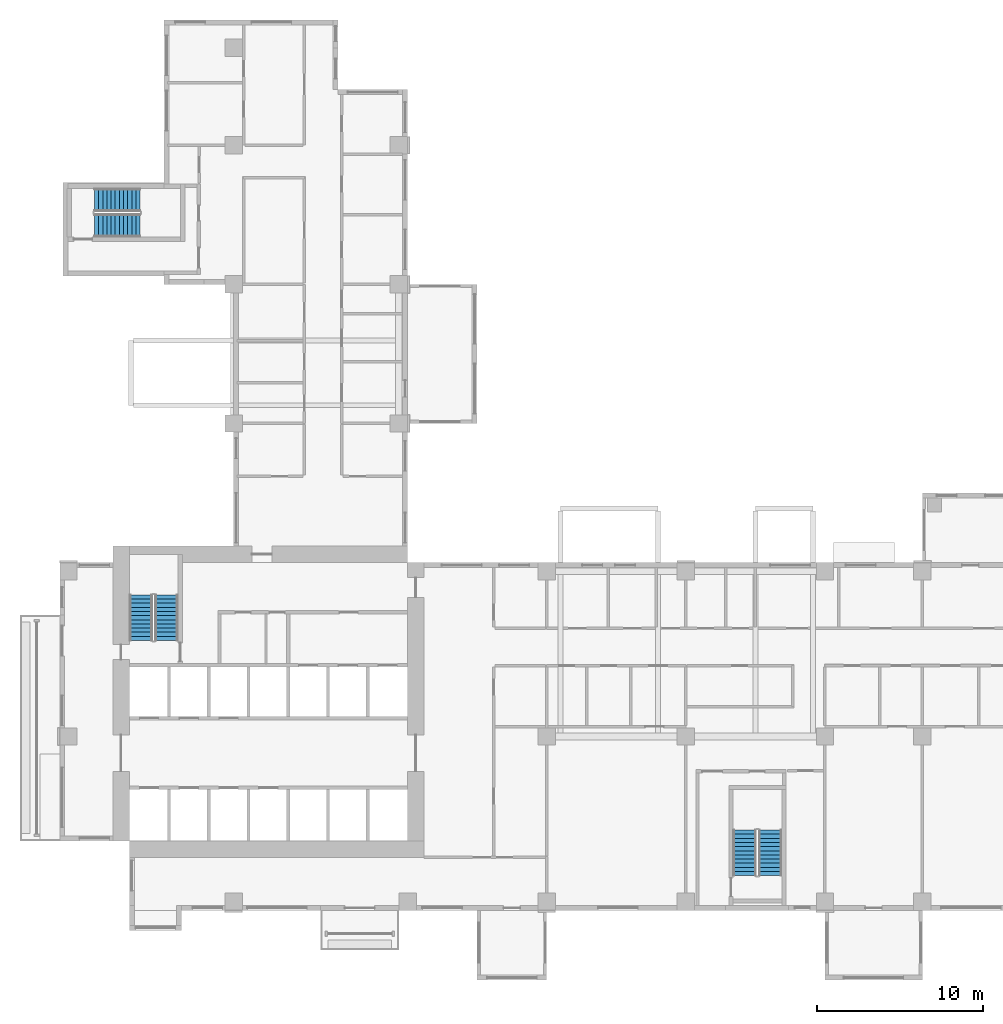
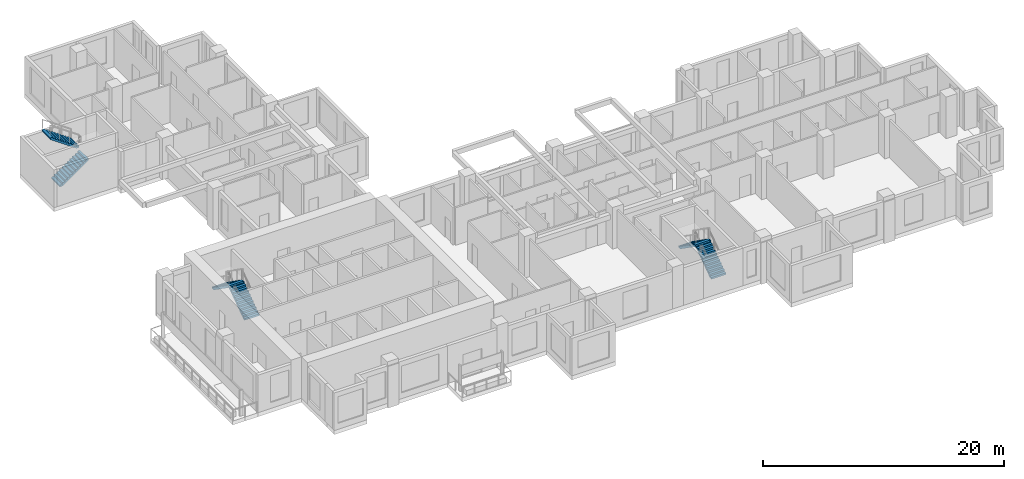
# One storey, part 9 of 14: 6 stair flights, 3 elements without a shape of their own.
"""IFC4 building model written with IfcOpenShell, lengths in metres."""

from ifc_helpers import new_model, si_unit, direction, frame, origin, place, context, subcontext, project, spatial, polyline, outline, extrude, source, transform, mapped, material, type_object, element, aggregate, save


model = new_model("IFC4")

# Units and contexts
model_context = context("Model", 3, precision=1e-05, world=origin(), true_north=direction((0.0, 1.0)))
body_context = subcontext(model_context, "Body", "Model", "MODEL_VIEW")
ifc_project = project(units=[si_unit("LENGTHUNIT", "METRE"), si_unit("AREAUNIT", "SQUARE_METRE"), si_unit("VOLUMEUNIT", "CUBIC_METRE"), si_unit("PLANEANGLEUNIT", "RADIAN"), si_unit("MASSUNIT", "GRAM", prefix="KILO")], contexts=[model_context])

# Site, building, storey
site_placement = place(None, origin())
site = spatial("IfcSite", under=ifc_project, at=site_placement, CompositionType="ELEMENT")
building_placement = place(site_placement, origin())
building = spatial("IfcBuilding", under=site, at=building_placement, Name="Aurelian Terraces", CompositionType="ELEMENT")
storey_placement = place(building_placement, frame((0.0, 0.0, 132.9)))
storey = spatial("IfcBuildingStorey", under=building, at=storey_placement, Name="L29", CompositionType="ELEMENT", Elevation=132.9)

# Stair, stair flights
ifc_material = material(Name="Concrete fc' 40 MPa", Category="concrete")
stair_type = type_object("IfcStairType", Name="Stair 1400", PredefinedType="HALF_TURN_STAIR", material=ifc_material)
stair_1_placement = place(storey_placement, origin())
stair_1 = element("IfcStair", 1, at=stair_1_placement, inside=storey, type_object=stair_type, Name="L29 S1", PredefinedType="HALF_TURN_STAIR")
stair_flight_type = type_object("IfcStairFlightType", Name="Stair flight 1400", PredefinedType="STRAIGHT", material=ifc_material)
shared_shape = source(origin(), body_context, "Body", "SweptSolid", [
    extrude(outline(polyline([(0.0, 0.0), (0.0, 0.175), (0.25, 0.175), (0.25, 0.35), (0.5, 0.35), (0.5, 0.525), (0.75, 0.525), (0.75, 0.7), (1.0, 0.7), (1.0, 0.875), (1.25, 0.875), (1.25, 1.05), (1.5, 1.05), (1.5, 1.225), (1.75, 1.225), (1.75, 1.4), (2.0, 1.4), (2.0, 1.575), (2.25, 1.575), (2.25, 1.75), (2.5, 1.75), (2.5, 1.925), (2.75, 1.925), (2.75, 2.1), (2.75, 1.7419), (0.2616, 0.0), (0.0, 0.0)])), frame((0.0, 0.7, 0.0), z_axis=(0.0, -1.0, 0.0), x_axis=(1.0, 0.0, 0.0)), (0.0, 0.0, 1.0), 1.4),
])
stair_flight_1_placement = place(storey_placement, frame((6.45, 16.3, 2e-08), z_axis=(0.0, 0.0, 1.0), x_axis=(0.0, 1.0, 0.0)))
stair_flight_1 = element("IfcStairFlight", 2, at=stair_flight_1_placement, type_object=stair_flight_type, Name="S1 flight 1", NumberOfRisers=12, NumberOfTreads=11, PredefinedType="STRAIGHT", RiserHeight=0.175, TreadLength=0.25, context=body_context, shape_type="MappedRepresentation", body=[
    mapped(shared_shape, transform((0.0, 0.0, 0.0), scale=1.0)),
])
stair_flight_2_placement = place(storey_placement, frame((4.9, 19.05, 2.100000019999994), z_axis=(0.0, 0.0, 1.0), x_axis=(0.0, -1.0, 0.0)))
stair_flight_2 = element("IfcStairFlight", 3, at=stair_flight_2_placement, type_object=stair_flight_type, Name="S1 flight 2", NumberOfRisers=12, NumberOfTreads=11, PredefinedType="STRAIGHT", RiserHeight=0.175, TreadLength=0.25, context=body_context, shape_type="MappedRepresentation", body=[
    mapped(shared_shape, transform((0.0, 0.0, 0.0), scale=1.0)),
])
aggregate(stair_1, [stair_flight_1, stair_flight_2])

stair_2_placement = place(storey_placement, origin())
stair_2 = element("IfcStair", 4, at=stair_2_placement, inside=storey, type_object=stair_type, Name="L29 S2", PredefinedType="HALF_TURN_STAIR")
stair_flight_3_placement = place(storey_placement, frame((42.9, 2.1, 2e-08), z_axis=(0.0, 0.0, 1.0), x_axis=(0.0, 1.0, 0.0)))
stair_flight_3 = element("IfcStairFlight", 5, at=stair_flight_3_placement, type_object=stair_flight_type, Name="S2 flight 1", NumberOfRisers=12, NumberOfTreads=11, PredefinedType="STRAIGHT", RiserHeight=0.175, TreadLength=0.25, context=body_context, shape_type="MappedRepresentation", body=[
    mapped(shared_shape, transform((0.0, 0.0, 0.0), scale=1.0)),
])
stair_flight_4_placement = place(storey_placement, frame((41.35, 4.85, 2.100000019999994), z_axis=(0.0, 0.0, 1.0), x_axis=(0.0, -1.0, 0.0)))
stair_flight_4 = element("IfcStairFlight", 6, at=stair_flight_4_placement, type_object=stair_flight_type, Name="S2 flight 2", NumberOfRisers=12, NumberOfTreads=11, PredefinedType="STRAIGHT", RiserHeight=0.175, TreadLength=0.25, context=body_context, shape_type="MappedRepresentation", body=[
    mapped(shared_shape, transform((0.0, 0.0, 0.0), scale=1.0)),
])
aggregate(stair_2, [stair_flight_3, stair_flight_4])

stair_3_placement = place(storey_placement, origin())
stair_3 = element("IfcStair", 7, at=stair_3_placement, inside=storey, type_object=stair_type, Name="L29 S3", PredefinedType="HALF_TURN_STAIR")
stair_flight_5_placement = place(storey_placement, frame((2.1, 41.35, 2e-08), z_axis=(0.0, 0.0, 1.0), x_axis=(1.0, 0.0, 0.0)))
stair_flight_5 = element("IfcStairFlight", 8, at=stair_flight_5_placement, type_object=stair_flight_type, Name="S3 flight 1", NumberOfRisers=12, NumberOfTreads=11, PredefinedType="STRAIGHT", RiserHeight=0.175, TreadLength=0.25, context=body_context, shape_type="MappedRepresentation", body=[
    mapped(shared_shape, transform((0.0, 0.0, 0.0), scale=1.0)),
])
stair_flight_6_placement = place(storey_placement, frame((4.85, 42.9, 2.100000019999994), z_axis=(0.0, 0.0, 1.0), x_axis=(-1.0, 0.0, 0.0)))
stair_flight_6 = element("IfcStairFlight", 9, at=stair_flight_6_placement, type_object=stair_flight_type, Name="S3 flight 2", NumberOfRisers=12, NumberOfTreads=11, PredefinedType="STRAIGHT", RiserHeight=0.175, TreadLength=0.25, context=body_context, shape_type="MappedRepresentation", body=[
    mapped(shared_shape, transform((0.0, 0.0, 0.0), scale=1.0)),
])
aggregate(stair_3, [stair_flight_5, stair_flight_6])

save(model, "model.ifc")
